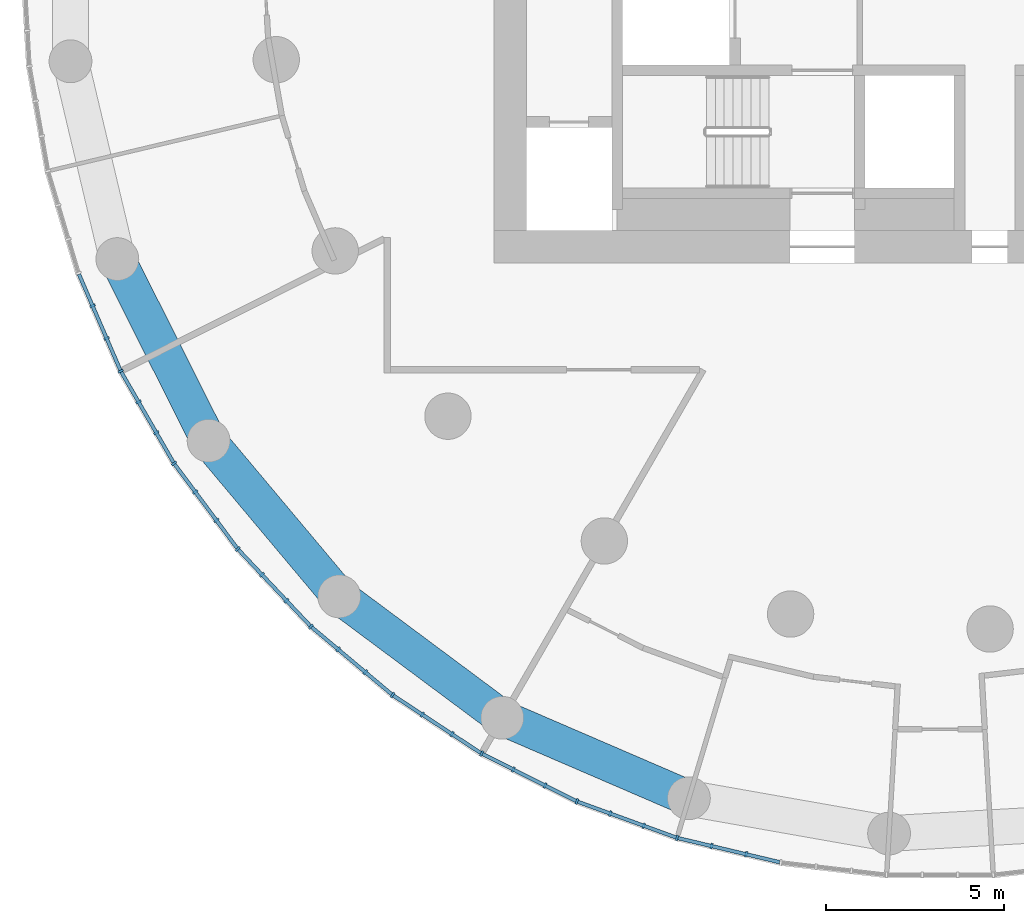
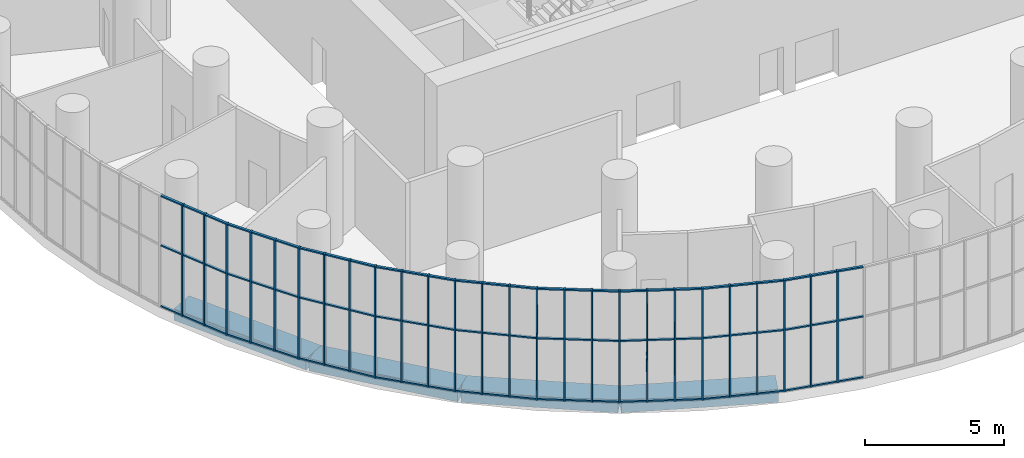
# One storey, part 2 of 21: 53 members, 4 beams, 9 elements without a shape of their own.
"""IFC4 building model written with IfcOpenShell, lengths in metres."""

import ifcopenshell
import ifcopenshell.guid

model = None  # the IFC model being written
_history = None  # IfcOwnerHistory: only IFC2X3 demands one
_inside = {}  # id of a spatial element -> (the spatial element, [elements in it])
_under = {}  # id of a project, library or spatial element -> (it, [spatial elements below it])
_declared = {}  # id of a project -> (the project, [libraries it declares])
_typed = {}  # id of a type object -> (the type object, [elements of that type])
_made_of = {}  # id of a material, layer set ... -> (it, [elements and type objects made of it])


def new_model(schema):
    """Start an empty IFC model of exactly this schema.

    Asked for "IFC4X3", IfcOpenShell would pick the latest addendum, in which some entities
    have other attributes; the version numbers below select the first issue.
    IFC2X3 requires an IfcOwnerHistory on every rooted entity: one is made here for all.
    """
    global model, _history
    if schema == "IFC4X3":
        model = ifcopenshell.file(schema_version=(4, 3, 0, 0))
    else:
        model = ifcopenshell.file(schema=schema)
    _inside.clear()
    _under.clear()
    _declared.clear()
    _typed.clear()
    _made_of.clear()
    _history = None
    if model.schema == "IFC2X3":
        org = make("IfcOrganization", Name="unknown")
        user = make(
            "IfcPersonAndOrganization",
            ThePerson=make("IfcPerson", FamilyName="unknown"),
            TheOrganization=org,
        )
        app = make(
            "IfcApplication",
            ApplicationDeveloper=org,
            Version="unknown",
            ApplicationFullName="unknown",
            ApplicationIdentifier="unknown",
        )
        _history = make(
            "IfcOwnerHistory",
            OwningUser=user,
            OwningApplication=app,
            ChangeAction="ADDED",
            CreationDate=0,
        )
    return model


def make(cls, **values):
    """One entity of the class cls with the attributes given. An attribute that is None is left unset."""
    return model.create_entity(
        cls, **{name: value for name, value in values.items() if value is not None}
    )


def rooted(cls, **values):
    """An entity with a GlobalId (a new one), such as an element, a storey or a relation."""
    return make(cls, GlobalId=ifcopenshell.guid.new(), OwnerHistory=_history, **values)


def si_unit(unit_type, name, prefix=None):
    """IfcSIUnit, for example si_unit("LENGTHUNIT", "METRE", prefix="MILLI")."""
    return make("IfcSIUnit", UnitType=unit_type, Prefix=prefix, Name=name)


def assignment(units):
    """IfcUnitAssignment: the units of a project."""
    return None if units is None else make("IfcUnitAssignment", Units=units)


def point(xyz):
    """IfcCartesianPoint."""
    return None if xyz is None else make("IfcCartesianPoint", Coordinates=xyz)


def direction(xyz):
    """IfcDirection."""
    return None if xyz is None else make("IfcDirection", DirectionRatios=xyz)


def frame(location, z_axis=None, x_axis=None):
    """IfcAxis2Placement3D, a coordinate frame: its origin and axes. An axis left out is left unset."""
    return make(
        "IfcAxis2Placement3D",
        Location=point(location),
        Axis=direction(z_axis),
        RefDirection=direction(x_axis),
    )


def frame_2d(location, x_axis=None):
    """IfcAxis2Placement2D, a coordinate frame in the plane: its origin and x axis."""
    return make(
        "IfcAxis2Placement2D", Location=point(location), RefDirection=direction(x_axis)
    )


def origin():
    """The frame at (0, 0, 0) with its axes left unset."""
    return frame((0.0, 0.0, 0.0))


def origin_2d():
    """The frame at (0, 0) in the plane with its x axis left unset."""
    return frame_2d((0.0, 0.0))


def place(relative_to, where):
    """IfcLocalPlacement: puts the frame where relative to a parent placement (None: the world)."""
    return make(
        "IfcLocalPlacement", PlacementRelTo=relative_to, RelativePlacement=where
    )


def context(
    kind, dimensions, precision=None, world=None, true_north=None, identifier=None
):
    """IfcGeometricRepresentationContext, for example the 3D "Model" context."""
    return make(
        "IfcGeometricRepresentationContext",
        ContextIdentifier=identifier,
        ContextType=kind,
        CoordinateSpaceDimension=dimensions,
        Precision=precision,
        WorldCoordinateSystem=world,
        TrueNorth=true_north,
    )


def subcontext(parent, identifier, kind, view, scale=None):
    """IfcGeometricRepresentationSubContext, for example "Body" below "Model"."""
    return make(
        "IfcGeometricRepresentationSubContext",
        ContextIdentifier=identifier,
        ContextType=kind,
        ParentContext=parent,
        TargetScale=scale,
        TargetView=view,
    )


def project(units=None, contexts=None):
    """IfcProject with its units and contexts."""
    return rooted(
        "IfcProject",
        Name="project",
        RepresentationContexts=contexts,
        UnitsInContext=assignment(units),
    )


def spatial(cls, under=None, at=None, **own):
    """A site, building, storey or space (cls), placed at a placement, below another one or the project."""
    s = rooted(cls, ObjectPlacement=at, **own)
    if under is not None:
        _under.setdefault(under.id(), (under, []))[1].append(s)
    return s


def profile(cls, at=None, kind="AREA", **sizes):
    """A parametric profile (cls). Its sizes go by their IFC names, for example OverallWidth=200.0."""
    return make(cls, ProfileType=kind, Position=at, **sizes)


def rectangle(**sizes):
    """IfcRectangleProfileDef."""
    return profile("IfcRectangleProfileDef", **sizes)


def extrude(swept, where, along, depth):
    """IfcExtrudedAreaSolid: the profile swept, set in the frame where, extruded along a direction by depth."""
    return make(
        "IfcExtrudedAreaSolid",
        SweptArea=swept,
        Position=where,
        ExtrudedDirection=direction(along),
        Depth=depth,
    )


def shape(context_of_items, identifier, shape_type, items):
    """IfcShapeRepresentation: the items that make up one representation, for example the "Body"."""
    return make(
        "IfcShapeRepresentation",
        ContextOfItems=context_of_items,
        RepresentationIdentifier=identifier,
        RepresentationType=shape_type,
        Items=items,
    )


def material(Name=None, Category=None):
    """IfcMaterial."""
    return make("IfcMaterial", Name=Name, Category=Category)


def layer(
    of_material, thickness, ventilated=None, Name=None, Category=None, Priority=None
):
    """IfcMaterialLayer: one layer of a wall or slab, of a material (None: an air gap)."""
    return make(
        "IfcMaterialLayer",
        Material=of_material,
        LayerThickness=thickness,
        IsVentilated=ventilated,
        Name=Name,
        Category=Category,
        Priority=Priority,
    )


def layer_set(layers, Name=None):
    """IfcMaterialLayerSet."""
    return make("IfcMaterialLayerSet", MaterialLayers=layers, LayerSetName=Name)


def material_profile(
    of_material, cross_section, Name=None, Category=None, Priority=None
):
    """IfcMaterialProfile: a cross section and its material."""
    return make(
        "IfcMaterialProfile",
        Name=Name,
        Material=of_material,
        Profile=cross_section,
        Priority=Priority,
        Category=Category,
    )


def profile_set(profiles, Name=None, composite=None):
    """IfcMaterialProfileSet."""
    return make(
        "IfcMaterialProfileSet",
        Name=Name,
        MaterialProfiles=profiles,
        CompositeProfile=composite,
    )


def made_of(thing, what):
    """Note that an element or type object is made of a material, layer set ...; save() writes the relation."""
    if what is not None:
        _made_of.setdefault(what.id(), (what, []))[1].append(thing)
    return thing


def type_object(cls, material=None, **own):
    """A type object (cls), such as IfcWallType, which elements share."""
    return made_of(rooted(cls, **own), material)


def element(
    cls,
    number,
    at=None,
    inside=None,
    cuts=None,
    type_object=None,
    material=None,
    context=None,
    identifier="Body",
    shape_type=None,
    held_by="IfcProductDefinitionShape",
    body=None,
    shapes=None,
    **own,
):
    """One element of the class cls, such as IfcWall. Its Tag is "e" and its number.

    at: its placement. inside: the storey or other place that contains it. cuts: it is an
    opening in that element (IfcRelVoidsElement). A single representation is given by context,
    identifier, shape_type and body (its items); several are given by shapes. held_by: the class
    of the entity that holds the representations. save() writes the other relations.
    """
    e = rooted(cls, Tag="e%d" % number, ObjectPlacement=at, **own)
    if body is not None:
        shapes = [shape(context, identifier, shape_type, body)]
    if shapes is not None:
        e.Representation = make(held_by, Representations=shapes)
    if inside is not None:
        _inside.setdefault(inside.id(), (inside, []))[1].append(e)
    if cuts is not None:
        rooted(
            "IfcRelVoidsElement", RelatingBuildingElement=cuts, RelatedOpeningElement=e
        )
    if type_object is not None:
        _typed.setdefault(type_object.id(), (type_object, []))[1].append(e)
    return made_of(e, material)


def aggregate(whole, parts):
    """IfcRelAggregates: a whole, such as a stair, and the parts it consists of."""
    return rooted("IfcRelAggregates", RelatingObject=whole, RelatedObjects=parts)


def save(model, path):
    """Write the relations noted so far, then the file.

    IfcRelAggregates (storeys below a building ...), IfcRelContainedInSpatialStructure (elements
    in a storey), IfcRelDefinesByType, IfcRelAssociatesMaterial and IfcRelDeclares: one each for
    every whole, place, type object, material and project.
    """
    for whole, parts in _under.values():
        aggregate(whole, parts)
    for where, things in _inside.values():
        rooted(
            "IfcRelContainedInSpatialStructure",
            RelatedElements=things,
            RelatingStructure=where,
        )
    for kind, things in _typed.values():
        rooted("IfcRelDefinesByType", RelatedObjects=things, RelatingType=kind)
    for what, things in _made_of.values():
        rooted("IfcRelAssociatesMaterial", RelatedObjects=things, RelatingMaterial=what)
    for by, libraries in _declared.values():
        rooted("IfcRelDeclares", RelatingContext=by, RelatedDefinitions=libraries)
    model.write(path)


model = new_model("IFC4")

# Units and contexts
model_context = context("Model", 3, precision=1e-05, world=origin(), true_north=direction((0.0, 1.0)))
body_context = subcontext(model_context, "Body", "Model", "MODEL_VIEW")
ifc_project = project(units=[si_unit("LENGTHUNIT", "METRE"), si_unit("AREAUNIT", "SQUARE_METRE"), si_unit("VOLUMEUNIT", "CUBIC_METRE"), si_unit("PLANEANGLEUNIT", "RADIAN"), si_unit("MASSUNIT", "GRAM", prefix="KILO")], contexts=[model_context])

# Site, building, storey
site_placement = place(None, origin())
site = spatial("IfcSite", under=ifc_project, at=site_placement, CompositionType="ELEMENT")
building_placement = place(site_placement, origin())
building = spatial("IfcBuilding", under=site, at=building_placement, Name="Tracery Tower", CompositionType="ELEMENT")
storey_placement = place(building_placement, frame((0.0, 0.0, 219.60009765625)))
storey = spatial("IfcBuildingStorey", under=building, at=storey_placement, Name="L57", CompositionType="ELEMENT", Elevation=219.60009765625)

# Beams
ifc_material_1 = material(Name="Concrete C50/60", Category="concrete")
ifc_material_profile_1 = material_profile(ifc_material_1, rectangle(XDim=1.0, YDim=0.5, at=origin_2d()), Name="RC 1000x500")
ifc_profile_set_1 = profile_set([ifc_material_profile_1], Name="Concrete C50/60")
beam_type = type_object("IfcBeamType", Name="Perimeter band beam 1000x500 under 450 slab", PredefinedType="BEAM", material=ifc_profile_set_1)
for number, where, z_axis, x_axis, name in (
    (1, (-23.0673828125, -8.395751953125, -0.7001953125), (0.448806280933, -0.893629074166, 0.0), (0.893629074166, 0.448806280933, 0.0), "Perimeter beam 1.15 under L57"),
    (2, (-20.50927734375, -13.4892578125, -0.7001953125), (0.64277610208, -0.766054099, 0.0), (0.766054099, 0.64277610208, 0.0), "Perimeter beam 1.16 under L57"),
):
    element("IfcBeam", number, at=place(storey_placement, frame(where, z_axis=z_axis, x_axis=x_axis)), inside=storey, type_object=beam_type, Name=name, PredefinedType="BEAM", context=body_context, shape_type="SweptSolid", body=[
        extrude(rectangle(XDim=1.0, YDim=0.5, at=origin_2d()), origin(), (0.0, 0.0, 1.0), 5.69970703125),
    ])
beam_1_placement = place(storey_placement, frame((-16.845703125, -17.85546875, -0.7001953125), z_axis=(0.802143514942, -0.597131293298, 0.0), x_axis=(0.597131293298, 0.802143514942, 0.0)))
element("IfcBeam", 3, at=beam_1_placement, inside=storey, type_object=beam_type, Name="Perimeter beam 1.17 under L57", PredefinedType="BEAM", context=body_context, shape_type="SweptSolid", body=[
    extrude(rectangle(XDim=1.0, YDim=0.5, at=origin_2d()), origin(), (0.0, 0.0, 1.0), 5.699462890625),
])
beam_2_placement = place(storey_placement, frame((-12.27392578125, -21.2587890625, -0.7001953125), z_axis=(0.918216405543, -0.39607907366, 0.0), x_axis=(0.39607907366, 0.918216405543, 0.0)))
element("IfcBeam", 4, at=beam_2_placement, inside=storey, type_object=beam_type, Name="Perimeter beam 1.18 under L57", PredefinedType="BEAM", context=body_context, shape_type="SweptSolid", body=[
    extrude(rectangle(XDim=1.0, YDim=0.5, at=origin_2d()), origin(), (0.0, 0.0, 1.0), 5.69970703125),
])

# Curtain wall, members
ifc_material_2 = material(Name="Aluminium curtain wall with tinted glass", Category="aluminium")
ifc_layer = layer(ifc_material_2, 0.159912109375)
ifc_layer_set = layer_set([ifc_layer], Name="Sky lounge 2 tracery curtain wall")
curtain_wall_type = type_object("IfcCurtainWallType", Name="Sky lounge 2 tracery curtain wall", PredefinedType="NOTDEFINED", material=ifc_layer_set)
curtain_wall_1_placement = place(storey_placement, origin())
curtain_wall_1 = element("IfcCurtainWall", 5, at=curtain_wall_1_placement, inside=storey, type_object=curtain_wall_type, Name="Sky lounge 2 curtain wall run 31", PredefinedType="NOTDEFINED")
ifc_material_3 = material(Name="Aluminium, bronze anodised", Category="aluminium")
ifc_material_profile_2 = material_profile(ifc_material_3, rectangle(XDim=0.159912109375, YDim=0.06005859375, at=origin_2d()), Name="AL 60x160")
ifc_profile_set_2 = profile_set([ifc_material_profile_2], Name="Aluminium, bronze anodised")
member_type_1 = type_object("IfcMemberType", Name="Sky lounge 2 mullion 60 x 160", PredefinedType="MULLION", material=ifc_profile_set_2)
member_1_placement = place(storey_placement, frame((-23.762451171875, -9.70751953125, 0.0), z_axis=(0.0, 0.0, 1.0), x_axis=(0.918216106883, 0.396079766034, 0.0)))
member_1 = element("IfcMember", 6, at=member_1_placement, type_object=member_type_1, Name="Sky lounge 2 curtain wall run 31 mullion 2", PredefinedType="MULLION", context=body_context, shape_type="SweptSolid", body=[
    extrude(rectangle(XDim=0.159912109375, YDim=0.06005859375, at=origin_2d()), origin(), (0.0, 0.0, 1.0), 4.89990234375),
])
member_2_placement = place(storey_placement, frame((-23.367919921875, -10.62255859375, 0.0), z_axis=(0.0, 0.0, 1.0), x_axis=(0.918216106883, 0.396079766034, 0.0)))
member_2 = element("IfcMember", 7, at=member_2_placement, type_object=member_type_1, Name="Sky lounge 2 curtain wall run 31 mullion 3", PredefinedType="MULLION", context=body_context, shape_type="SweptSolid", body=[
    extrude(rectangle(XDim=0.159912109375, YDim=0.06005859375, at=origin_2d()), origin(), (0.0, 0.0, 1.0), 4.89990234375),
])

curtain_wall_2_placement = place(storey_placement, origin())
curtain_wall_2 = element("IfcCurtainWall", 8, at=curtain_wall_2_placement, inside=storey, type_object=curtain_wall_type, Name="Sky lounge 2 curtain wall run 32", PredefinedType="NOTDEFINED")
member_3_placement = place(storey_placement, frame((-22.97314453125, -11.53759765625, 0.0), z_axis=(0.0, 0.0, 1.0), x_axis=(0.866025403784, 0.5, 0.0)))
member_3 = element("IfcMember", 9, at=member_3_placement, type_object=member_type_1, Name="Sky lounge 2 curtain wall run 32 mullion 1", PredefinedType="MULLION", context=body_context, shape_type="SweptSolid", body=[
    extrude(rectangle(XDim=0.159912109375, YDim=0.06005859375, at=origin_2d()), origin(), (0.0, 0.0, 1.0), 4.89990234375),
])
member_4_placement = place(storey_placement, frame((-22.474853515625, -12.400634765625, 0.0), z_axis=(0.0, 0.0, 1.0), x_axis=(0.866025403784, 0.5, 0.0)))
member_4 = element("IfcMember", 10, at=member_4_placement, type_object=member_type_1, Name="Sky lounge 2 curtain wall run 32 mullion 2", PredefinedType="MULLION", context=body_context, shape_type="SweptSolid", body=[
    extrude(rectangle(XDim=0.159912109375, YDim=0.06005859375, at=origin_2d()), origin(), (0.0, 0.0, 1.0), 4.89990234375),
])
member_5_placement = place(storey_placement, frame((-21.9765625, -13.263427734375, 0.0), z_axis=(0.0, 0.0, 1.0), x_axis=(0.866025403784, 0.5, 0.0)))
member_5 = element("IfcMember", 11, at=member_5_placement, type_object=member_type_1, Name="Sky lounge 2 curtain wall run 32 mullion 3", PredefinedType="MULLION", context=body_context, shape_type="SweptSolid", body=[
    extrude(rectangle(XDim=0.159912109375, YDim=0.06005859375, at=origin_2d()), origin(), (0.0, 0.0, 1.0), 4.89990234375),
])

curtain_wall_3_placement = place(storey_placement, origin())
curtain_wall_3 = element("IfcCurtainWall", 12, at=curtain_wall_3_placement, inside=storey, type_object=curtain_wall_type, Name="Sky lounge 2 curtain wall run 33", PredefinedType="NOTDEFINED")
member_6_placement = place(storey_placement, frame((-21.478271484375, -14.12646484375, 0.0), z_axis=(0.0, 0.0, 1.0), x_axis=(0.802123192752, 0.597158591707, 0.0)))
member_6 = element("IfcMember", 13, at=member_6_placement, type_object=member_type_1, Name="Sky lounge 2 curtain wall run 33 mullion 1", PredefinedType="MULLION", context=body_context, shape_type="SweptSolid", body=[
    extrude(rectangle(XDim=0.159912109375, YDim=0.06005859375, at=origin_2d()), origin(), (0.0, 0.0, 1.0), 4.89990234375),
])
member_7_placement = place(storey_placement, frame((-20.88330078125, -14.92578125, 0.0), z_axis=(0.0, 0.0, 1.0), x_axis=(0.802123192752, 0.597158591707, 0.0)))
member_7 = element("IfcMember", 14, at=member_7_placement, type_object=member_type_1, Name="Sky lounge 2 curtain wall run 33 mullion 2", PredefinedType="MULLION", context=body_context, shape_type="SweptSolid", body=[
    extrude(rectangle(XDim=0.159912109375, YDim=0.06005859375, at=origin_2d()), origin(), (0.0, 0.0, 1.0), 4.89990234375),
])
member_8_placement = place(storey_placement, frame((-20.2880859375, -15.72509765625, 0.0), z_axis=(0.0, 0.0, 1.0), x_axis=(0.802123192752, 0.597158591707, 0.0)))
member_8 = element("IfcMember", 15, at=member_8_placement, type_object=member_type_1, Name="Sky lounge 2 curtain wall run 33 mullion 3", PredefinedType="MULLION", context=body_context, shape_type="SweptSolid", body=[
    extrude(rectangle(XDim=0.159912109375, YDim=0.06005859375, at=origin_2d()), origin(), (0.0, 0.0, 1.0), 4.89990234375),
])

curtain_wall_4_placement = place(storey_placement, origin())
curtain_wall_4 = element("IfcCurtainWall", 16, at=curtain_wall_4_placement, inside=storey, type_object=curtain_wall_type, Name="Sky lounge 2 curtain wall run 34", PredefinedType="NOTDEFINED")
member_9_placement = place(storey_placement, frame((-19.693115234375, -16.5244140625, 0.0), z_axis=(0.0, 0.0, 1.0), x_axis=(0.727373641577, 0.686241637865, 0.0)))
member_9 = element("IfcMember", 17, at=member_9_placement, type_object=member_type_1, Name="Sky lounge 2 curtain wall run 34 mullion 1", PredefinedType="MULLION", context=body_context, shape_type="SweptSolid", body=[
    extrude(rectangle(XDim=0.159912109375, YDim=0.06005859375, at=origin_2d()), origin(), (0.0, 0.0, 1.0), 4.89990234375),
])
member_10_placement = place(storey_placement, frame((-19.00927734375, -17.249267578125, 0.0), z_axis=(0.0, 0.0, 1.0), x_axis=(0.727373641577, 0.686241637865, 0.0)))
member_10 = element("IfcMember", 18, at=member_10_placement, type_object=member_type_1, Name="Sky lounge 2 curtain wall run 34 mullion 2", PredefinedType="MULLION", context=body_context, shape_type="SweptSolid", body=[
    extrude(rectangle(XDim=0.159912109375, YDim=0.06005859375, at=origin_2d()), origin(), (0.0, 0.0, 1.0), 4.89990234375),
])
member_11_placement = place(storey_placement, frame((-18.325439453125, -17.97412109375, 0.0), z_axis=(0.0, 0.0, 1.0), x_axis=(0.727373641577, 0.686241637865, 0.0)))
member_11 = element("IfcMember", 19, at=member_11_placement, type_object=member_type_1, Name="Sky lounge 2 curtain wall run 34 mullion 3", PredefinedType="MULLION", context=body_context, shape_type="SweptSolid", body=[
    extrude(rectangle(XDim=0.159912109375, YDim=0.06005859375, at=origin_2d()), origin(), (0.0, 0.0, 1.0), 4.89990234375),
])

curtain_wall_5_placement = place(storey_placement, origin())
curtain_wall_5 = element("IfcCurtainWall", 20, at=curtain_wall_5_placement, inside=storey, type_object=curtain_wall_type, Name="Sky lounge 2 curtain wall run 35", PredefinedType="NOTDEFINED")
member_12_placement = place(storey_placement, frame((-17.6416015625, -18.698974609375, 0.0), z_axis=(0.0, 0.0, 1.0), x_axis=(0.642787609687, 0.766044443119, 0.0)))
member_12 = element("IfcMember", 21, at=member_12_placement, type_object=member_type_1, Name="Sky lounge 2 curtain wall run 35 mullion 1", PredefinedType="MULLION", context=body_context, shape_type="SweptSolid", body=[
    extrude(rectangle(XDim=0.159912109375, YDim=0.06005859375, at=origin_2d()), origin(), (0.0, 0.0, 1.0), 4.89990234375),
])
member_13_placement = place(storey_placement, frame((-16.878173828125, -19.339599609375, 0.0), z_axis=(0.0, 0.0, 1.0), x_axis=(0.642787609687, 0.766044443119, 0.0)))
member_13 = element("IfcMember", 22, at=member_13_placement, type_object=member_type_1, Name="Sky lounge 2 curtain wall run 35 mullion 2", PredefinedType="MULLION", context=body_context, shape_type="SweptSolid", body=[
    extrude(rectangle(XDim=0.159912109375, YDim=0.06005859375, at=origin_2d()), origin(), (0.0, 0.0, 1.0), 4.89990234375),
])
member_14_placement = place(storey_placement, frame((-16.11474609375, -19.97998046875, 0.0), z_axis=(0.0, 0.0, 1.0), x_axis=(0.642787609687, 0.766044443119, 0.0)))
member_14 = element("IfcMember", 23, at=member_14_placement, type_object=member_type_1, Name="Sky lounge 2 curtain wall run 35 mullion 3", PredefinedType="MULLION", context=body_context, shape_type="SweptSolid", body=[
    extrude(rectangle(XDim=0.159912109375, YDim=0.06005859375, at=origin_2d()), origin(), (0.0, 0.0, 1.0), 4.89990234375),
])

curtain_wall_6_placement = place(storey_placement, origin())
curtain_wall_6 = element("IfcCurtainWall", 24, at=curtain_wall_6_placement, inside=storey, type_object=curtain_wall_type, Name="Sky lounge 2 curtain wall run 36", PredefinedType="NOTDEFINED")
member_15_placement = place(storey_placement, frame((-15.3515625, -20.62060546875, 0.0), z_axis=(0.0, 0.0, 1.0), x_axis=(0.549508978066, 0.835487811416, 0.0)))
member_15 = element("IfcMember", 25, at=member_15_placement, type_object=member_type_1, Name="Sky lounge 2 curtain wall run 36 mullion 1", PredefinedType="MULLION", context=body_context, shape_type="SweptSolid", body=[
    extrude(rectangle(XDim=0.159912109375, YDim=0.06005859375, at=origin_2d()), origin(), (0.0, 0.0, 1.0), 4.89990234375),
])
member_16_placement = place(storey_placement, frame((-14.518798828125, -21.168212890625, 0.0), z_axis=(0.0, 0.0, 1.0), x_axis=(0.549508978066, 0.835487811416, 0.0)))
member_16 = element("IfcMember", 26, at=member_16_placement, type_object=member_type_1, Name="Sky lounge 2 curtain wall run 36 mullion 2", PredefinedType="MULLION", context=body_context, shape_type="SweptSolid", body=[
    extrude(rectangle(XDim=0.159912109375, YDim=0.06005859375, at=origin_2d()), origin(), (0.0, 0.0, 1.0), 4.89990234375),
])
member_17_placement = place(storey_placement, frame((-13.686279296875, -21.7158203125, 0.0), z_axis=(0.0, 0.0, 1.0), x_axis=(0.549508978066, 0.835487811416, 0.0)))
member_17 = element("IfcMember", 27, at=member_17_placement, type_object=member_type_1, Name="Sky lounge 2 curtain wall run 36 mullion 3", PredefinedType="MULLION", context=body_context, shape_type="SweptSolid", body=[
    extrude(rectangle(XDim=0.159912109375, YDim=0.06005859375, at=origin_2d()), origin(), (0.0, 0.0, 1.0), 4.89990234375),
])

curtain_wall_7_placement = place(storey_placement, origin())
curtain_wall_7 = element("IfcCurtainWall", 28, at=curtain_wall_7_placement, inside=storey, type_object=curtain_wall_type, Name="Sky lounge 2 curtain wall run 37", PredefinedType="NOTDEFINED")
member_18_placement = place(storey_placement, frame((-12.853759765625, -22.263427734375, 0.0), z_axis=(0.0, 0.0, 1.0), x_axis=(0.448799180206, 0.893632640321, 0.0)))
member_18 = element("IfcMember", 29, at=member_18_placement, type_object=member_type_1, Name="Sky lounge 2 curtain wall run 37 mullion 1", PredefinedType="MULLION", context=body_context, shape_type="SweptSolid", body=[
    extrude(rectangle(XDim=0.159912109375, YDim=0.06005859375, at=origin_2d()), origin(), (0.0, 0.0, 1.0), 4.89990234375),
])
member_19_placement = place(storey_placement, frame((-11.96337890625, -22.710693359375, 0.0), z_axis=(0.0, 0.0, 1.0), x_axis=(0.448799180206, 0.893632640321, 0.0)))
member_19 = element("IfcMember", 30, at=member_19_placement, type_object=member_type_1, Name="Sky lounge 2 curtain wall run 37 mullion 2", PredefinedType="MULLION", context=body_context, shape_type="SweptSolid", body=[
    extrude(rectangle(XDim=0.159912109375, YDim=0.06005859375, at=origin_2d()), origin(), (0.0, 0.0, 1.0), 4.89990234375),
])
member_20_placement = place(storey_placement, frame((-11.07275390625, -23.157958984375, 0.0), z_axis=(0.0, 0.0, 1.0), x_axis=(0.448799180206, 0.893632640321, 0.0)))
member_20 = element("IfcMember", 31, at=member_20_placement, type_object=member_type_1, Name="Sky lounge 2 curtain wall run 37 mullion 3", PredefinedType="MULLION", context=body_context, shape_type="SweptSolid", body=[
    extrude(rectangle(XDim=0.159912109375, YDim=0.06005859375, at=origin_2d()), origin(), (0.0, 0.0, 1.0), 4.89990234375),
])

curtain_wall_8_placement = place(storey_placement, origin())
curtain_wall_8 = element("IfcCurtainWall", 32, at=curtain_wall_8_placement, inside=storey, type_object=curtain_wall_type, Name="Sky lounge 2 curtain wall run 38", PredefinedType="NOTDEFINED")
member_21_placement = place(storey_placement, frame((-10.18212890625, -23.60498046875, 0.0), z_axis=(0.0, 0.0, 1.0), x_axis=(0.342020143326, 0.939692620786, 0.0)))
member_21 = element("IfcMember", 33, at=member_21_placement, type_object=member_type_1, Name="Sky lounge 2 curtain wall run 38 mullion 1", PredefinedType="MULLION", context=body_context, shape_type="SweptSolid", body=[
    extrude(rectangle(XDim=0.159912109375, YDim=0.06005859375, at=origin_2d()), origin(), (0.0, 0.0, 1.0), 4.89990234375),
])
member_22_placement = place(storey_placement, frame((-9.245849609375, -23.94580078125, 0.0), z_axis=(0.0, 0.0, 1.0), x_axis=(0.342020143326, 0.939692620786, 0.0)))
member_22 = element("IfcMember", 34, at=member_22_placement, type_object=member_type_1, Name="Sky lounge 2 curtain wall run 38 mullion 2", PredefinedType="MULLION", context=body_context, shape_type="SweptSolid", body=[
    extrude(rectangle(XDim=0.159912109375, YDim=0.06005859375, at=origin_2d()), origin(), (0.0, 0.0, 1.0), 4.89990234375),
])
member_23_placement = place(storey_placement, frame((-8.309326171875, -24.28662109375, 0.0), z_axis=(0.0, 0.0, 1.0), x_axis=(0.342020143326, 0.939692620786, 0.0)))
member_23 = element("IfcMember", 35, at=member_23_placement, type_object=member_type_1, Name="Sky lounge 2 curtain wall run 38 mullion 3", PredefinedType="MULLION", context=body_context, shape_type="SweptSolid", body=[
    extrude(rectangle(XDim=0.159912109375, YDim=0.06005859375, at=origin_2d()), origin(), (0.0, 0.0, 1.0), 4.89990234375),
])

curtain_wall_9_placement = place(storey_placement, origin())
curtain_wall_9 = element("IfcCurtainWall", 36, at=curtain_wall_9_placement, inside=storey, type_object=curtain_wall_type, Name="Sky lounge 2 curtain wall run 39", PredefinedType="NOTDEFINED")
member_24_placement = place(storey_placement, frame((-7.373046875, -24.62744140625, 0.0), z_axis=(0.0, 0.0, 1.0), x_axis=(0.230615870737, 0.973044870581, 0.0)))
member_24 = element("IfcMember", 37, at=member_24_placement, type_object=member_type_1, Name="Sky lounge 2 curtain wall run 39 mullion 1", PredefinedType="MULLION", context=body_context, shape_type="SweptSolid", body=[
    extrude(rectangle(XDim=0.159912109375, YDim=0.06005859375, at=origin_2d()), origin(), (0.0, 0.0, 1.0), 4.89990234375),
])
member_25_placement = place(storey_placement, frame((-6.4033203125, -24.857421875, 0.0), z_axis=(0.0, 0.0, 1.0), x_axis=(0.230615870737, 0.973044870581, 0.0)))
member_25 = element("IfcMember", 38, at=member_25_placement, type_object=member_type_1, Name="Sky lounge 2 curtain wall run 39 mullion 2", PredefinedType="MULLION", context=body_context, shape_type="SweptSolid", body=[
    extrude(rectangle(XDim=0.159912109375, YDim=0.06005859375, at=origin_2d()), origin(), (0.0, 0.0, 1.0), 4.89990234375),
])
member_26_placement = place(storey_placement, frame((-5.43359375, -25.087158203125, 0.0), z_axis=(0.0, 0.0, 1.0), x_axis=(0.230615870737, 0.973044870581, 0.0)))
member_26 = element("IfcMember", 39, at=member_26_placement, type_object=member_type_1, Name="Sky lounge 2 curtain wall run 39 mullion 3", PredefinedType="MULLION", context=body_context, shape_type="SweptSolid", body=[
    extrude(rectangle(XDim=0.159912109375, YDim=0.06005859375, at=origin_2d()), origin(), (0.0, 0.0, 1.0), 4.89990234375),
])

# Member
ifc_material_4 = material(Name="Aluminium, bronze anodised", Category="aluminium")
ifc_material_profile_3 = material_profile(ifc_material_4, rectangle(XDim=0.10009765625, YDim=0.06005859375, at=origin_2d()), Name="AL 60x100")
ifc_profile_set_3 = profile_set([ifc_material_profile_3], Name="Aluminium, bronze anodised")
member_type_2 = type_object("IfcMemberType", Name="Sky lounge 2 transom 60 x 100", PredefinedType="USERDEFINED", material=ifc_profile_set_3)
member_27_placement = place(storey_placement, frame((-24.145263671875, -8.820068359375, 0.02978515625), z_axis=(0.396030490021, -0.918237360912, 0.0), x_axis=(0.918237360912, 0.396030490021, 0.0)))
member_27 = element("IfcMember", 40, at=member_27_placement, type_object=member_type_2, Name="Sky lounge 2 curtain wall run 31 transom 1", ObjectType="TRANSOM", PredefinedType="USERDEFINED", context=body_context, shape_type="SweptSolid", body=[
    extrude(rectangle(XDim=0.10009765625, YDim=0.06005859375, at=origin_2d()), origin(), (0.0, 0.0, 1.0), 2.929443359375),
])

member_28_placement = place(storey_placement, frame((-24.145263671875, -8.820068359375, 2.699951171875), z_axis=(0.396030490021, -0.918237360912, 0.0), x_axis=(0.918237360912, 0.396030490021, 0.0)))
member_28 = element("IfcMember", 41, at=member_28_placement, type_object=member_type_2, Name="Sky lounge 2 curtain wall run 31 transom 2", ObjectType="TRANSOM", PredefinedType="USERDEFINED", context=body_context, shape_type="SweptSolid", body=[
    extrude(rectangle(XDim=0.10009765625, YDim=0.06005859375, at=origin_2d()), origin(), (0.0, 0.0, 1.0), 2.929443359375),
])

member_29_placement = place(storey_placement, frame((-24.145263671875, -8.820068359375, 4.869873046875), z_axis=(0.396030490021, -0.918237360912, 0.0), x_axis=(0.918237360912, 0.396030490021, 0.0)))
member_29 = element("IfcMember", 42, at=member_29_placement, type_object=member_type_2, Name="Sky lounge 2 curtain wall run 31 transom 3", ObjectType="TRANSOM", PredefinedType="USERDEFINED", context=body_context, shape_type="SweptSolid", body=[
    extrude(rectangle(XDim=0.10009765625, YDim=0.06005859375, at=origin_2d()), origin(), (0.0, 0.0, 1.0), 2.929443359375),
])

aggregate(curtain_wall_1, [member_1, member_2, member_27, member_28, member_29])

member_30_placement = place(storey_placement, frame((-22.9580078125, -11.5634765625, 0.02978515625), z_axis=(0.499948495998, -0.866055137592, 0.0), x_axis=(0.866055137592, 0.499948495998, 0.0)))
member_30 = element("IfcMember", 43, at=member_30_placement, type_object=member_type_2, Name="Sky lounge 2 curtain wall run 32 transom 1", ObjectType="TRANSOM", PredefinedType="USERDEFINED", context=body_context, shape_type="SweptSolid", body=[
    extrude(rectangle(XDim=0.10009765625, YDim=0.06005859375, at=origin_2d()), origin(), (0.0, 0.0, 1.0), 2.929443359375),
])

member_31_placement = place(storey_placement, frame((-22.9580078125, -11.5634765625, 2.699951171875), z_axis=(0.499948495998, -0.866055137592, 0.0), x_axis=(0.866055137592, 0.499948495998, 0.0)))
member_31 = element("IfcMember", 44, at=member_31_placement, type_object=member_type_2, Name="Sky lounge 2 curtain wall run 32 transom 2", ObjectType="TRANSOM", PredefinedType="USERDEFINED", context=body_context, shape_type="SweptSolid", body=[
    extrude(rectangle(XDim=0.10009765625, YDim=0.06005859375, at=origin_2d()), origin(), (0.0, 0.0, 1.0), 2.929443359375),
])

member_32_placement = place(storey_placement, frame((-22.9580078125, -11.5634765625, 4.869873046875), z_axis=(0.499948495998, -0.866055137592, 0.0), x_axis=(0.866055137592, 0.499948495998, 0.0)))
member_32 = element("IfcMember", 45, at=member_32_placement, type_object=member_type_2, Name="Sky lounge 2 curtain wall run 32 transom 3", ObjectType="TRANSOM", PredefinedType="USERDEFINED", context=body_context, shape_type="SweptSolid", body=[
    extrude(rectangle(XDim=0.10009765625, YDim=0.06005859375, at=origin_2d()), origin(), (0.0, 0.0, 1.0), 2.929443359375),
])

aggregate(curtain_wall_2, [member_3, member_4, member_5, member_30, member_31, member_32])

member_33_placement = place(storey_placement, frame((-21.46044921875, -14.150634765625, 0.02978515625), z_axis=(0.597182879987, -0.802105110226, 0.0), x_axis=(0.802105110226, 0.597182879987, 0.0)))
member_33 = element("IfcMember", 46, at=member_33_placement, type_object=member_type_2, Name="Sky lounge 2 curtain wall run 33 transom 1", ObjectType="TRANSOM", PredefinedType="USERDEFINED", context=body_context, shape_type="SweptSolid", body=[
    extrude(rectangle(XDim=0.10009765625, YDim=0.06005859375, at=origin_2d()), origin(), (0.0, 0.0, 1.0), 2.9296875),
])

member_34_placement = place(storey_placement, frame((-21.46044921875, -14.150634765625, 2.699951171875), z_axis=(0.597182879987, -0.802105110226, 0.0), x_axis=(0.802105110226, 0.597182879987, 0.0)))
member_34 = element("IfcMember", 47, at=member_34_placement, type_object=member_type_2, Name="Sky lounge 2 curtain wall run 33 transom 2", ObjectType="TRANSOM", PredefinedType="USERDEFINED", context=body_context, shape_type="SweptSolid", body=[
    extrude(rectangle(XDim=0.10009765625, YDim=0.06005859375, at=origin_2d()), origin(), (0.0, 0.0, 1.0), 2.9296875),
])

member_35_placement = place(storey_placement, frame((-21.46044921875, -14.150634765625, 4.869873046875), z_axis=(0.597182879987, -0.802105110226, 0.0), x_axis=(0.802105110226, 0.597182879987, 0.0)))
member_35 = element("IfcMember", 48, at=member_35_placement, type_object=member_type_2, Name="Sky lounge 2 curtain wall run 33 transom 3", ObjectType="TRANSOM", PredefinedType="USERDEFINED", context=body_context, shape_type="SweptSolid", body=[
    extrude(rectangle(XDim=0.10009765625, YDim=0.06005859375, at=origin_2d()), origin(), (0.0, 0.0, 1.0), 2.9296875),
])

aggregate(curtain_wall_3, [member_6, member_7, member_8, member_33, member_34, member_35])

member_36_placement = place(storey_placement, frame((-19.672607421875, -16.54638671875, 0.02978515625), z_axis=(0.686266182252, -0.727350484359, 0.0), x_axis=(0.727350484359, 0.686266182252, 0.0)))
member_36 = element("IfcMember", 49, at=member_36_placement, type_object=member_type_2, Name="Sky lounge 2 curtain wall run 34 transom 1", ObjectType="TRANSOM", PredefinedType="USERDEFINED", context=body_context, shape_type="SweptSolid", body=[
    extrude(rectangle(XDim=0.10009765625, YDim=0.06005859375, at=origin_2d()), origin(), (0.0, 0.0, 1.0), 2.9296875),
])

member_37_placement = place(storey_placement, frame((-19.672607421875, -16.54638671875, 2.699951171875), z_axis=(0.686266182252, -0.727350484359, 0.0), x_axis=(0.727350484359, 0.686266182252, 0.0)))
member_37 = element("IfcMember", 50, at=member_37_placement, type_object=member_type_2, Name="Sky lounge 2 curtain wall run 34 transom 2", ObjectType="TRANSOM", PredefinedType="USERDEFINED", context=body_context, shape_type="SweptSolid", body=[
    extrude(rectangle(XDim=0.10009765625, YDim=0.06005859375, at=origin_2d()), origin(), (0.0, 0.0, 1.0), 2.9296875),
])

member_38_placement = place(storey_placement, frame((-19.672607421875, -16.54638671875, 4.869873046875), z_axis=(0.686266182252, -0.727350484359, 0.0), x_axis=(0.727350484359, 0.686266182252, 0.0)))
member_38 = element("IfcMember", 51, at=member_38_placement, type_object=member_type_2, Name="Sky lounge 2 curtain wall run 34 transom 3", ObjectType="TRANSOM", PredefinedType="USERDEFINED", context=body_context, shape_type="SweptSolid", body=[
    extrude(rectangle(XDim=0.10009765625, YDim=0.06005859375, at=origin_2d()), origin(), (0.0, 0.0, 1.0), 2.9296875),
])

aggregate(curtain_wall_4, [member_9, member_10, member_11, member_36, member_37, member_38])

member_39_placement = place(storey_placement, frame((-17.61865234375, -18.71826171875, 0.02978515625), z_axis=(0.766044599457, -0.64278742337, 0.0), x_axis=(0.64278742337, 0.766044599457, 0.0)))
member_39 = element("IfcMember", 52, at=member_39_placement, type_object=member_type_2, Name="Sky lounge 2 curtain wall run 35 transom 1", ObjectType="TRANSOM", PredefinedType="USERDEFINED", context=body_context, shape_type="SweptSolid", body=[
    extrude(rectangle(XDim=0.10009765625, YDim=0.06005859375, at=origin_2d()), origin(), (0.0, 0.0, 1.0), 2.929443359375),
])

member_40_placement = place(storey_placement, frame((-17.61865234375, -18.71826171875, 2.699951171875), z_axis=(0.766044599457, -0.64278742337, 0.0), x_axis=(0.64278742337, 0.766044599457, 0.0)))
member_40 = element("IfcMember", 53, at=member_40_placement, type_object=member_type_2, Name="Sky lounge 2 curtain wall run 35 transom 2", ObjectType="TRANSOM", PredefinedType="USERDEFINED", context=body_context, shape_type="SweptSolid", body=[
    extrude(rectangle(XDim=0.10009765625, YDim=0.06005859375, at=origin_2d()), origin(), (0.0, 0.0, 1.0), 2.929443359375),
])

member_41_placement = place(storey_placement, frame((-17.61865234375, -18.71826171875, 4.869873046875), z_axis=(0.766044599457, -0.64278742337, 0.0), x_axis=(0.64278742337, 0.766044599457, 0.0)))
member_41 = element("IfcMember", 54, at=member_41_placement, type_object=member_type_2, Name="Sky lounge 2 curtain wall run 35 transom 3", ObjectType="TRANSOM", PredefinedType="USERDEFINED", context=body_context, shape_type="SweptSolid", body=[
    extrude(rectangle(XDim=0.10009765625, YDim=0.06005859375, at=origin_2d()), origin(), (0.0, 0.0, 1.0), 2.929443359375),
])

aggregate(curtain_wall_5, [member_12, member_13, member_14, member_39, member_40, member_41])

member_42_placement = place(storey_placement, frame((-15.326416015625, -20.63720703125, 0.02978515625), z_axis=(0.835508711144, -0.549477200257, 0.0), x_axis=(0.549477200257, 0.835508711144, 0.0)))
member_42 = element("IfcMember", 55, at=member_42_placement, type_object=member_type_2, Name="Sky lounge 2 curtain wall run 36 transom 1", ObjectType="TRANSOM", PredefinedType="USERDEFINED", context=body_context, shape_type="SweptSolid", body=[
    extrude(rectangle(XDim=0.10009765625, YDim=0.06005859375, at=origin_2d()), origin(), (0.0, 0.0, 1.0), 2.929443359375),
])

member_43_placement = place(storey_placement, frame((-15.326416015625, -20.63720703125, 2.699951171875), z_axis=(0.835508711144, -0.549477200257, 0.0), x_axis=(0.549477200257, 0.835508711144, 0.0)))
member_43 = element("IfcMember", 56, at=member_43_placement, type_object=member_type_2, Name="Sky lounge 2 curtain wall run 36 transom 2", ObjectType="TRANSOM", PredefinedType="USERDEFINED", context=body_context, shape_type="SweptSolid", body=[
    extrude(rectangle(XDim=0.10009765625, YDim=0.06005859375, at=origin_2d()), origin(), (0.0, 0.0, 1.0), 2.929443359375),
])

member_44_placement = place(storey_placement, frame((-15.326416015625, -20.63720703125, 4.869873046875), z_axis=(0.835508711144, -0.549477200257, 0.0), x_axis=(0.549477200257, 0.835508711144, 0.0)))
member_44 = element("IfcMember", 57, at=member_44_placement, type_object=member_type_2, Name="Sky lounge 2 curtain wall run 36 transom 3", ObjectType="TRANSOM", PredefinedType="USERDEFINED", context=body_context, shape_type="SweptSolid", body=[
    extrude(rectangle(XDim=0.10009765625, YDim=0.06005859375, at=origin_2d()), origin(), (0.0, 0.0, 1.0), 2.929443359375),
])

aggregate(curtain_wall_6, [member_15, member_16, member_17, member_42, member_43, member_44])

member_45_placement = place(storey_placement, frame((-12.826904296875, -22.27685546875, 0.02978515625), z_axis=(0.893642433599, -0.448779679654, 0.0), x_axis=(0.448779679654, 0.893642433599, 0.0)))
member_45 = element("IfcMember", 58, at=member_45_placement, type_object=member_type_2, Name="Sky lounge 2 curtain wall run 37 transom 1", ObjectType="TRANSOM", PredefinedType="USERDEFINED", context=body_context, shape_type="SweptSolid", body=[
    extrude(rectangle(XDim=0.10009765625, YDim=0.06005859375, at=origin_2d()), origin(), (0.0, 0.0, 1.0), 2.929443359375),
])

member_46_placement = place(storey_placement, frame((-12.826904296875, -22.27685546875, 2.699951171875), z_axis=(0.893642433599, -0.448779679654, 0.0), x_axis=(0.448779679654, 0.893642433599, 0.0)))
member_46 = element("IfcMember", 59, at=member_46_placement, type_object=member_type_2, Name="Sky lounge 2 curtain wall run 37 transom 2", ObjectType="TRANSOM", PredefinedType="USERDEFINED", context=body_context, shape_type="SweptSolid", body=[
    extrude(rectangle(XDim=0.10009765625, YDim=0.06005859375, at=origin_2d()), origin(), (0.0, 0.0, 1.0), 2.929443359375),
])

member_47_placement = place(storey_placement, frame((-12.826904296875, -22.27685546875, 4.869873046875), z_axis=(0.893642433599, -0.448779679654, 0.0), x_axis=(0.448779679654, 0.893642433599, 0.0)))
member_47 = element("IfcMember", 60, at=member_47_placement, type_object=member_type_2, Name="Sky lounge 2 curtain wall run 37 transom 3", ObjectType="TRANSOM", PredefinedType="USERDEFINED", context=body_context, shape_type="SweptSolid", body=[
    extrude(rectangle(XDim=0.10009765625, YDim=0.06005859375, at=origin_2d()), origin(), (0.0, 0.0, 1.0), 2.929443359375),
])

aggregate(curtain_wall_7, [member_18, member_19, member_20, member_45, member_46, member_47])

member_48_placement = place(storey_placement, frame((-10.154052734375, -23.615234375, 0.02978515625), z_axis=(0.939696058731, -0.342010697502, 0.0), x_axis=(0.342010697502, 0.939696058731, 0.0)))
member_48 = element("IfcMember", 61, at=member_48_placement, type_object=member_type_2, Name="Sky lounge 2 curtain wall run 38 transom 1", ObjectType="TRANSOM", PredefinedType="USERDEFINED", context=body_context, shape_type="SweptSolid", body=[
    extrude(rectangle(XDim=0.10009765625, YDim=0.06005859375, at=origin_2d()), origin(), (0.0, 0.0, 1.0), 2.9296875),
])

member_49_placement = place(storey_placement, frame((-10.154052734375, -23.615234375, 2.699951171875), z_axis=(0.939696058731, -0.342010697502, 0.0), x_axis=(0.342010697502, 0.939696058731, 0.0)))
member_49 = element("IfcMember", 62, at=member_49_placement, type_object=member_type_2, Name="Sky lounge 2 curtain wall run 38 transom 2", ObjectType="TRANSOM", PredefinedType="USERDEFINED", context=body_context, shape_type="SweptSolid", body=[
    extrude(rectangle(XDim=0.10009765625, YDim=0.06005859375, at=origin_2d()), origin(), (0.0, 0.0, 1.0), 2.9296875),
])

member_50_placement = place(storey_placement, frame((-10.154052734375, -23.615234375, 4.869873046875), z_axis=(0.939696058731, -0.342010697502, 0.0), x_axis=(0.342010697502, 0.939696058731, 0.0)))
member_50 = element("IfcMember", 63, at=member_50_placement, type_object=member_type_2, Name="Sky lounge 2 curtain wall run 38 transom 3", ObjectType="TRANSOM", PredefinedType="USERDEFINED", context=body_context, shape_type="SweptSolid", body=[
    extrude(rectangle(XDim=0.10009765625, YDim=0.06005859375, at=origin_2d()), origin(), (0.0, 0.0, 1.0), 2.9296875),
])

aggregate(curtain_wall_8, [member_21, member_22, member_23, member_48, member_49, member_50])

member_51_placement = place(storey_placement, frame((-7.34375, -24.634521484375, 0.02978515625), z_axis=(0.973049785609, -0.230595131619, 0.0), x_axis=(0.230595131619, 0.973049785609, 0.0)))
member_51 = element("IfcMember", 64, at=member_51_placement, type_object=member_type_2, Name="Sky lounge 2 curtain wall run 39 transom 1", ObjectType="TRANSOM", PredefinedType="USERDEFINED", context=body_context, shape_type="SweptSolid", body=[
    extrude(rectangle(XDim=0.10009765625, YDim=0.06005859375, at=origin_2d()), origin(), (0.0, 0.0, 1.0), 2.929443359375),
])

member_52_placement = place(storey_placement, frame((-7.34375, -24.634521484375, 2.699951171875), z_axis=(0.973049785609, -0.230595131619, 0.0), x_axis=(0.230595131619, 0.973049785609, 0.0)))
member_52 = element("IfcMember", 65, at=member_52_placement, type_object=member_type_2, Name="Sky lounge 2 curtain wall run 39 transom 2", ObjectType="TRANSOM", PredefinedType="USERDEFINED", context=body_context, shape_type="SweptSolid", body=[
    extrude(rectangle(XDim=0.10009765625, YDim=0.06005859375, at=origin_2d()), origin(), (0.0, 0.0, 1.0), 2.929443359375),
])

member_53_placement = place(storey_placement, frame((-7.34375, -24.634521484375, 4.869873046875), z_axis=(0.973049785609, -0.230595131619, 0.0), x_axis=(0.230595131619, 0.973049785609, 0.0)))
member_53 = element("IfcMember", 66, at=member_53_placement, type_object=member_type_2, Name="Sky lounge 2 curtain wall run 39 transom 3", ObjectType="TRANSOM", PredefinedType="USERDEFINED", context=body_context, shape_type="SweptSolid", body=[
    extrude(rectangle(XDim=0.10009765625, YDim=0.06005859375, at=origin_2d()), origin(), (0.0, 0.0, 1.0), 2.929443359375),
])

aggregate(curtain_wall_9, [member_24, member_25, member_26, member_51, member_52, member_53])

save(model, "model.ifc")
